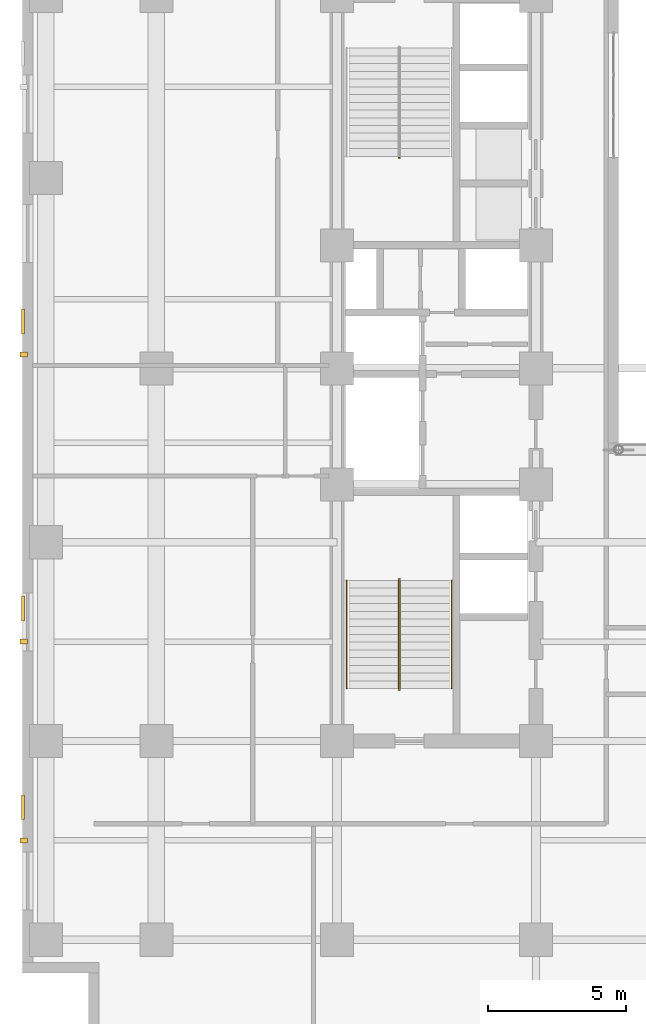
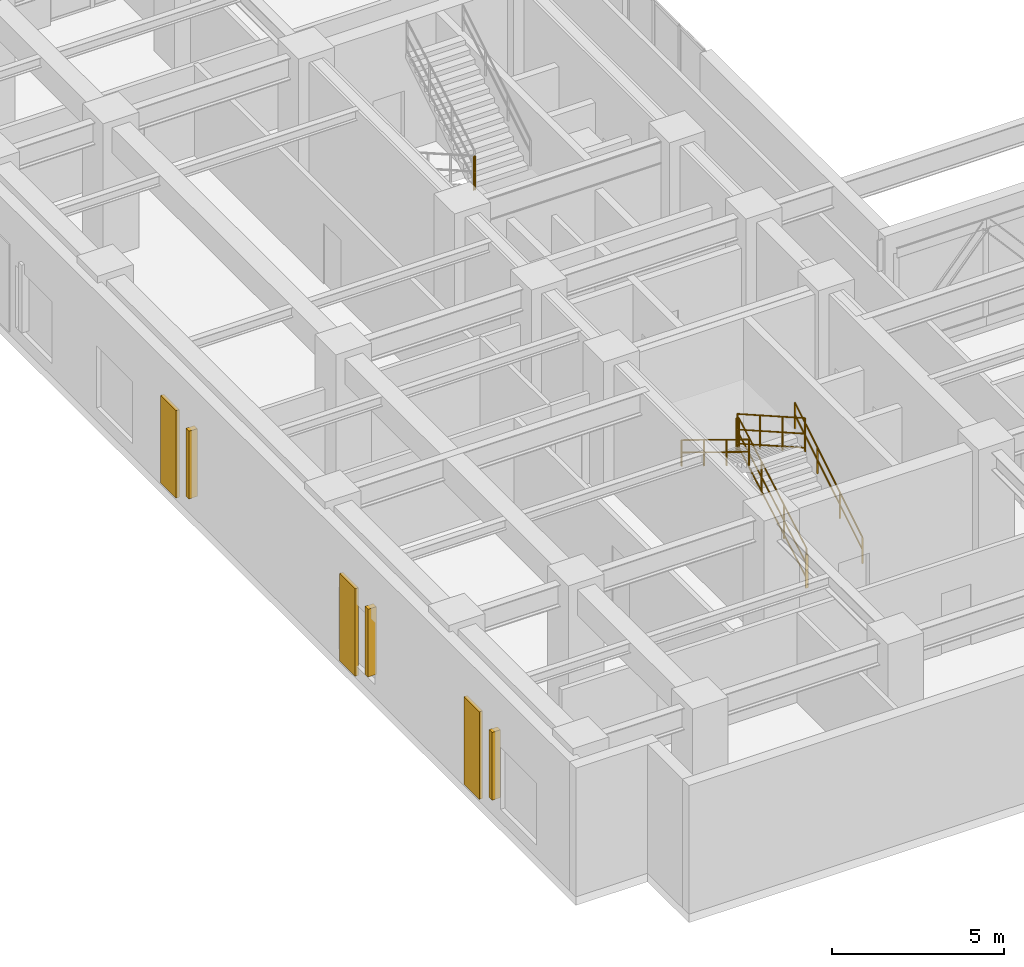
# One storey, part 15 of 18: 7 railings, 3 coverings, 3 shading devices.
"""IFC4 building model written with IfcOpenShell, lengths in metres."""

from ifc_helpers import new_model, entity, si_unit, converted_unit, direction, frame, origin_with_axes, origin_2d_with_axis, place, context, subcontext, project, spatial, rectangle, circle, extrude, material, layer, layer_set, type_object, element, save


model = new_model("IFC4")

# Units and contexts
model_context = context("Model", 3, precision=1e-05, world=origin_with_axes(), true_north=direction((0.0, 1.0)))
body_context = subcontext(model_context, "Body", "Model", "MODEL_VIEW")
ifc_project = project(units=[si_unit("LENGTHUNIT", "METRE"), si_unit("AREAUNIT", "SQUARE_METRE"), si_unit("VOLUMEUNIT", "CUBIC_METRE"), converted_unit("PLANEANGLEUNIT", "DEGREE", entity("IfcPlaneAngleMeasure", 0.017453292519943295), si_unit("PLANEANGLEUNIT", "RADIAN"), dimensions=[0, 0, 0, 0, 0, 0, 0]), si_unit("MASSUNIT", "GRAM", prefix="KILO"), si_unit("THERMODYNAMICTEMPERATUREUNIT", "KELVIN")], contexts=[model_context])

# Site, building, storey
site_placement = place(None, origin_with_axes())
site = spatial("IfcSite", under=ifc_project, at=site_placement, CompositionType="ELEMENT")
building_placement = place(site_placement, origin_with_axes())
building = spatial("IfcBuilding", under=site, at=building_placement, Name="Varnlund Millrace Tower", CompositionType="ELEMENT")
storey_placement = place(building_placement, frame((0.0, 0.0, 124.2), z_axis=(0.0, 0.0, 1.0), x_axis=(1.0, 0.0, 0.0)))
storey = spatial("IfcBuildingStorey", under=building, at=storey_placement, Name="L30", CompositionType="ELEMENT", Elevation=124.2)

# Coverings
ifc_material_1 = material(Name="Precast concrete C50/60", Category="concrete")
ifc_layer = layer(ifc_material_1, 0.11, Name="Precast concrete C50/60")
ifc_layer_set = layer_set([ifc_layer], Name="Precast concrete C50/60")
covering_type = type_object("IfcCoveringType", Name="Type-Cladding-KasotaPier-110", PredefinedType="CLADDING", material=ifc_layer_set)
for number, where, z_axis, x_axis, name in (
    (1, (0.02, 8.4, 0.1), (0.0, 0.0, 1.0), (1.0, 0.0, 0.0), "Type-Cladding-KasotaPier-110"),
    (2, (0.02, 15.6, 0.1), (0.0, 0.0, 1.0), (1.0, 0.0, 0.0), "Type-Cladding-KasotaPier-110"),
    (3, (0.02, 26.0, 0.1), (0.0, 0.0, 1.0), (1.0, 0.0, 0.0), "Type-Cladding-KasotaPier-110"),
):
    element("IfcCovering", number, at=place(storey_placement, frame(where, z_axis=z_axis, x_axis=x_axis)), inside=storey, type_object=covering_type, Name=name, PredefinedType="CLADDING", context=body_context, shape_type="SweptSolid", body=[
        extrude(rectangle(XDim=0.11, YDim=0.9, at=origin_2d_with_axis()), origin_with_axes(), (0.0, 0.0, 1.0), 3.1),
    ])

# Shading devices
ifc_material_2 = material(Name="Architectural bronze fluted spandrel fin", Category="aluminium")
shading_device_type = type_object("IfcShadingDeviceType", Name="Type-Shade-ArtDecoFin", PredefinedType="USERDEFINED", material=ifc_material_2)
for number, where, z_axis, x_axis, name in (
    (4, (0.05, 7.2, 0.6), (0.0, 0.0, 1.0), (1.0, 0.0, 0.0), "Type-Shade-ArtDecoFin"),
    (5, (0.05, 14.4, 0.6), (0.0, 0.0, 1.0), (1.0, 0.0, 0.0), "Type-Shade-ArtDecoFin"),
    (6, (0.05, 24.8, 0.6), (0.0, 0.0, 1.0), (1.0, 0.0, 0.0), "Type-Shade-ArtDecoFin"),
):
    element("IfcShadingDevice", number, at=place(storey_placement, frame(where, z_axis=z_axis, x_axis=x_axis)), inside=storey, type_object=shading_device_type, Name=name, ObjectType="FIN", PredefinedType="USERDEFINED", context=body_context, shape_type="SweptSolid", body=[
        extrude(rectangle(XDim=0.28, YDim=0.18, at=origin_2d_with_axis()), origin_with_axes(), (0.0, 0.0, 1.0), 2.4),
    ])

# Railings
ifc_material_3 = material(Name="Painted steel stair well balustrade guard", Category="steel")
railing_type_1 = type_object("IfcRailingType", Name="Type-StairGuard-1150", PredefinedType="GUARDRAIL", material=ifc_material_3)
railing_1_placement = place(storey_placement, frame((0.0, 0.0, -124.2), z_axis=(0.0, 0.0, 1.0), x_axis=(1.0, 0.0, 0.0)))
element("IfcRailing", 7, at=railing_1_placement, inside=storey, type_object=railing_type_1, Name="Type-StairGuard-1150", PredefinedType="GUARDRAIL", context=body_context, shape_type="SweptSolid", body=[
    extrude(circle(Radius=0.024, at=origin_2d_with_axis()), frame((13.675, 12.7, 125.521429), z_axis=(0.0, 0.869333, 0.494227), x_axis=(-1.0, 0.0, 0.0)), (0.0, 0.0, 1.0), 4.509205),
    extrude(circle(Radius=0.024, at=origin_2d_with_axis()), frame((13.675, 12.7, 124.471429), z_axis=(0.0, 0.869333, 0.494227), x_axis=(-1.0, 0.0, 0.0)), (0.0, 0.0, 1.0), 4.509205),
    extrude(circle(Radius=0.024, at=origin_2d_with_axis()), frame((13.675, 12.7, 124.969429), z_axis=(0.0, 0.869333, 0.494227), x_axis=(-1.0, 0.0, 0.0)), (0.0, 0.0, 1.0), 4.509205),
    extrude(rectangle(XDim=0.04, YDim=0.04, at=origin_2d_with_axis()), frame((13.675, 12.7, 124.331429), z_axis=(0.0, 0.0, 1.0), x_axis=(1.0, 0.0, 0.0)), (0.0, 0.0, 1.0), 1.19),
    extrude(rectangle(XDim=0.04, YDim=0.04, at=origin_2d_with_axis()), frame((13.675, 14.006667, 125.074286), z_axis=(0.0, 0.0, 1.0), x_axis=(1.0, 0.0, 0.0)), (0.0, 0.0, 1.0), 1.19),
    extrude(rectangle(XDim=0.04, YDim=0.04, at=origin_2d_with_axis()), frame((13.675, 15.313333, 125.817143), z_axis=(0.0, 0.0, 1.0), x_axis=(1.0, 0.0, 0.0)), (0.0, 0.0, 1.0), 1.19),
    extrude(rectangle(XDim=0.04, YDim=0.04, at=origin_2d_with_axis()), frame((13.675, 16.62, 126.56), z_axis=(0.0, 0.0, 1.0), x_axis=(1.0, 0.0, 0.0)), (0.0, 0.0, 1.0), 1.19),
])
railing_2_placement = place(storey_placement, frame((0.0, 0.0, -124.2), z_axis=(0.0, 0.0, 1.0), x_axis=(1.0, 0.0, 0.0)))
element("IfcRailing", 8, at=railing_2_placement, inside=storey, type_object=railing_type_1, Name="Type-StairGuard-1150", PredefinedType="GUARDRAIL", context=body_context, shape_type="SweptSolid", body=[
    extrude(circle(Radius=0.024, at=origin_2d_with_axis()), frame((13.625, 16.67, 127.75), z_axis=(1.0, 0.0, 0.0), x_axis=(0.0, 1.0, 0.0)), (0.0, 0.0, 1.0), 0.05),
    extrude(circle(Radius=0.024, at=origin_2d_with_axis()), frame((13.625, 16.67, 126.7), z_axis=(1.0, 0.0, 0.0), x_axis=(0.0, 1.0, 0.0)), (0.0, 0.0, 1.0), 0.05),
    extrude(circle(Radius=0.024, at=origin_2d_with_axis()), frame((13.625, 16.67, 127.198), z_axis=(1.0, 0.0, 0.0), x_axis=(0.0, 1.0, 0.0)), (0.0, 0.0, 1.0), 0.05),
    extrude(rectangle(XDim=0.04, YDim=0.04, at=origin_2d_with_axis()), frame((13.625, 16.67, 126.56), z_axis=(0.0, 0.0, 1.0), x_axis=(1.0, 0.0, 0.0)), (0.0, 0.0, 1.0), 1.19),
    extrude(rectangle(XDim=0.04, YDim=0.04, at=origin_2d_with_axis()), frame((13.675, 16.67, 126.56), z_axis=(0.0, 0.0, 1.0), x_axis=(1.0, 0.0, 0.0)), (0.0, 0.0, 1.0), 1.19),
])
railing_3_placement = place(storey_placement, frame((0.0, 0.0, -124.2), z_axis=(0.0, 0.0, 1.0), x_axis=(1.0, 0.0, 0.0)))
element("IfcRailing", 9, at=railing_3_placement, inside=storey, type_object=railing_type_1, Name="Type-StairGuard-1150", PredefinedType="GUARDRAIL", context=body_context, shape_type="SweptSolid", body=[
    extrude(circle(Radius=0.024, at=origin_2d_with_axis()), frame((13.625, 16.62, 127.921429), z_axis=(0.0, -0.869333, 0.494227), x_axis=(1.0, 0.0, 0.0)), (0.0, 0.0, 1.0), 4.509205),
    extrude(circle(Radius=0.024, at=origin_2d_with_axis()), frame((13.625, 16.62, 126.871429), z_axis=(0.0, -0.869333, 0.494227), x_axis=(1.0, 0.0, 0.0)), (0.0, 0.0, 1.0), 4.509205),
    extrude(circle(Radius=0.024, at=origin_2d_with_axis()), frame((13.625, 16.62, 127.369429), z_axis=(0.0, -0.869333, 0.494227), x_axis=(1.0, 0.0, 0.0)), (0.0, 0.0, 1.0), 4.509205),
    extrude(rectangle(XDim=0.04, YDim=0.04, at=origin_2d_with_axis()), frame((13.625, 16.62, 126.731429), z_axis=(0.0, 0.0, 1.0), x_axis=(1.0, 0.0, 0.0)), (0.0, 0.0, 1.0), 1.19),
    extrude(rectangle(XDim=0.04, YDim=0.04, at=origin_2d_with_axis()), frame((13.625, 15.313333, 127.474286), z_axis=(0.0, 0.0, 1.0), x_axis=(1.0, 0.0, 0.0)), (0.0, 0.0, 1.0), 1.19),
    extrude(rectangle(XDim=0.04, YDim=0.04, at=origin_2d_with_axis()), frame((13.625, 14.006667, 128.217143), z_axis=(0.0, 0.0, 1.0), x_axis=(1.0, 0.0, 0.0)), (0.0, 0.0, 1.0), 1.19),
    extrude(rectangle(XDim=0.04, YDim=0.04, at=origin_2d_with_axis()), frame((13.625, 12.7, 128.96), z_axis=(0.0, 0.0, 1.0), x_axis=(1.0, 0.0, 0.0)), (0.0, 0.0, 1.0), 1.19),
])
railing_4_placement = place(storey_placement, frame((0.0, 0.0, -124.2), z_axis=(0.0, 0.0, 1.0), x_axis=(1.0, 0.0, 0.0)))
element("IfcRailing", 10, at=railing_4_placement, inside=storey, type_object=railing_type_1, Name="Type-StairGuard-1150", PredefinedType="GUARDRAIL", context=body_context, shape_type="SweptSolid", body=[
    extrude(circle(Radius=0.024, at=origin_2d_with_axis()), frame((13.625, 12.65, 125.35), z_axis=(1.0, 0.0, 0.0), x_axis=(0.0, 1.0, 0.0)), (0.0, 0.0, 1.0), 0.05),
    extrude(circle(Radius=0.024, at=origin_2d_with_axis()), frame((13.625, 12.65, 124.3), z_axis=(1.0, 0.0, 0.0), x_axis=(0.0, 1.0, 0.0)), (0.0, 0.0, 1.0), 0.05),
    extrude(circle(Radius=0.024, at=origin_2d_with_axis()), frame((13.625, 12.65, 124.798), z_axis=(1.0, 0.0, 0.0), x_axis=(0.0, 1.0, 0.0)), (0.0, 0.0, 1.0), 0.05),
    extrude(rectangle(XDim=0.04, YDim=0.04, at=origin_2d_with_axis()), frame((13.625, 12.65, 124.16), z_axis=(0.0, 0.0, 1.0), x_axis=(1.0, 0.0, 0.0)), (0.0, 0.0, 1.0), 1.19),
    extrude(rectangle(XDim=0.04, YDim=0.04, at=origin_2d_with_axis()), frame((13.675, 12.65, 124.16), z_axis=(0.0, 0.0, 1.0), x_axis=(1.0, 0.0, 0.0)), (0.0, 0.0, 1.0), 1.19),
])
railing_5_placement = place(storey_placement, frame((0.0, 0.0, -124.2), z_axis=(0.0, 0.0, 1.0), x_axis=(1.0, 0.0, 0.0)))
element("IfcRailing", 11, at=railing_5_placement, inside=storey, type_object=railing_type_1, Name="Type-StairGuard-1150", PredefinedType="GUARDRAIL", context=body_context, shape_type="SweptSolid", body=[
    extrude(circle(Radius=0.024, at=origin_2d_with_axis()), frame((13.675, 31.93, 127.75), z_axis=(-1.0, 0.0, 0.0), x_axis=(0.0, -1.0, 0.0)), (0.0, 0.0, 1.0), 0.05),
    extrude(circle(Radius=0.024, at=origin_2d_with_axis()), frame((13.675, 31.93, 126.7), z_axis=(-1.0, 0.0, 0.0), x_axis=(0.0, -1.0, 0.0)), (0.0, 0.0, 1.0), 0.05),
    extrude(circle(Radius=0.024, at=origin_2d_with_axis()), frame((13.675, 31.93, 127.198), z_axis=(-1.0, 0.0, 0.0), x_axis=(0.0, -1.0, 0.0)), (0.0, 0.0, 1.0), 0.05),
    extrude(rectangle(XDim=0.04, YDim=0.04, at=origin_2d_with_axis()), frame((13.675, 31.93, 126.56), z_axis=(0.0, 0.0, 1.0), x_axis=(1.0, 0.0, 0.0)), (0.0, 0.0, 1.0), 1.19),
    extrude(rectangle(XDim=0.04, YDim=0.04, at=origin_2d_with_axis()), frame((13.625, 31.93, 126.56), z_axis=(0.0, 0.0, 1.0), x_axis=(1.0, 0.0, 0.0)), (0.0, 0.0, 1.0), 1.19),
])
ifc_material_4 = material(Name="Brushed architectural bronze stair handrail", Category="aluminium")
railing_type_2 = type_object("IfcRailingType", Name="Type-StairHandrail-900", PredefinedType="HANDRAIL", material=ifc_material_4)
railing_6_placement = place(storey_placement, frame((0.0, 0.0, -124.2), z_axis=(0.0, 0.0, 1.0), x_axis=(1.0, 0.0, 0.0)))
element("IfcRailing", 12, at=railing_6_placement, inside=storey, type_object=railing_type_2, Name="Type-StairHandrail-900", PredefinedType="HANDRAIL", context=body_context, shape_type="SweptSolid", body=[
    extrude(circle(Radius=0.024, at=origin_2d_with_axis()), frame((15.55, 12.7, 125.250961), z_axis=(0.0, 0.852851, 0.522154), x_axis=(-1.0, 0.0, 0.0)), (0.0, 0.0, 1.0), 4.596346),
    extrude(circle(Radius=0.024, at=origin_2d_with_axis()), frame((15.55, 12.7, 124.811195), z_axis=(0.0, 0.852851, 0.522154), x_axis=(-1.0, 0.0, 0.0)), (0.0, 0.0, 1.0), 4.596346),
    extrude(rectangle(XDim=0.04, YDim=0.04, at=origin_2d_with_axis()), frame((15.55, 12.7, 124.331429), z_axis=(0.0, 0.0, 1.0), x_axis=(1.0, 0.0, 0.0)), (0.0, 0.0, 1.0), 0.919532),
    extrude(rectangle(XDim=0.04, YDim=0.04, at=origin_2d_with_axis()), frame((15.55, 14.006667, 125.131429), z_axis=(0.0, 0.0, 1.0), x_axis=(1.0, 0.0, 0.0)), (0.0, 0.0, 1.0), 0.919532),
    extrude(rectangle(XDim=0.04, YDim=0.04, at=origin_2d_with_axis()), frame((15.55, 15.313333, 125.931429), z_axis=(0.0, 0.0, 1.0), x_axis=(1.0, 0.0, 0.0)), (0.0, 0.0, 1.0), 0.919532),
    extrude(rectangle(XDim=0.04, YDim=0.04, at=origin_2d_with_axis()), frame((15.55, 16.62, 126.731429), z_axis=(0.0, 0.0, 1.0), x_axis=(1.0, 0.0, 0.0)), (0.0, 0.0, 1.0), 0.919532),
])
railing_7_placement = place(storey_placement, frame((0.0, 0.0, -124.2), z_axis=(0.0, 0.0, 1.0), x_axis=(1.0, 0.0, 0.0)))
element("IfcRailing", 13, at=railing_7_placement, inside=storey, type_object=railing_type_2, Name="Type-StairHandrail-900", PredefinedType="HANDRAIL", context=body_context, shape_type="SweptSolid", body=[
    extrude(circle(Radius=0.024, at=origin_2d_with_axis()), frame((11.75, 16.62, 127.650961), z_axis=(0.0, -0.852851, 0.522154), x_axis=(1.0, 0.0, 0.0)), (0.0, 0.0, 1.0), 4.596346),
    extrude(circle(Radius=0.024, at=origin_2d_with_axis()), frame((11.75, 16.62, 127.211195), z_axis=(0.0, -0.852851, 0.522154), x_axis=(1.0, 0.0, 0.0)), (0.0, 0.0, 1.0), 4.596346),
    extrude(rectangle(XDim=0.04, YDim=0.04, at=origin_2d_with_axis()), frame((11.75, 16.62, 126.731429), z_axis=(0.0, 0.0, 1.0), x_axis=(1.0, 0.0, 0.0)), (0.0, 0.0, 1.0), 0.919532),
    extrude(rectangle(XDim=0.04, YDim=0.04, at=origin_2d_with_axis()), frame((11.75, 15.313333, 127.531429), z_axis=(0.0, 0.0, 1.0), x_axis=(1.0, 0.0, 0.0)), (0.0, 0.0, 1.0), 0.919532),
    extrude(rectangle(XDim=0.04, YDim=0.04, at=origin_2d_with_axis()), frame((11.75, 14.006667, 128.331429), z_axis=(0.0, 0.0, 1.0), x_axis=(1.0, 0.0, 0.0)), (0.0, 0.0, 1.0), 0.919532),
    extrude(rectangle(XDim=0.04, YDim=0.04, at=origin_2d_with_axis()), frame((11.75, 12.7, 129.131429), z_axis=(0.0, 0.0, 1.0), x_axis=(1.0, 0.0, 0.0)), (0.0, 0.0, 1.0), 0.919532),
])

save(model, "model.ifc")
